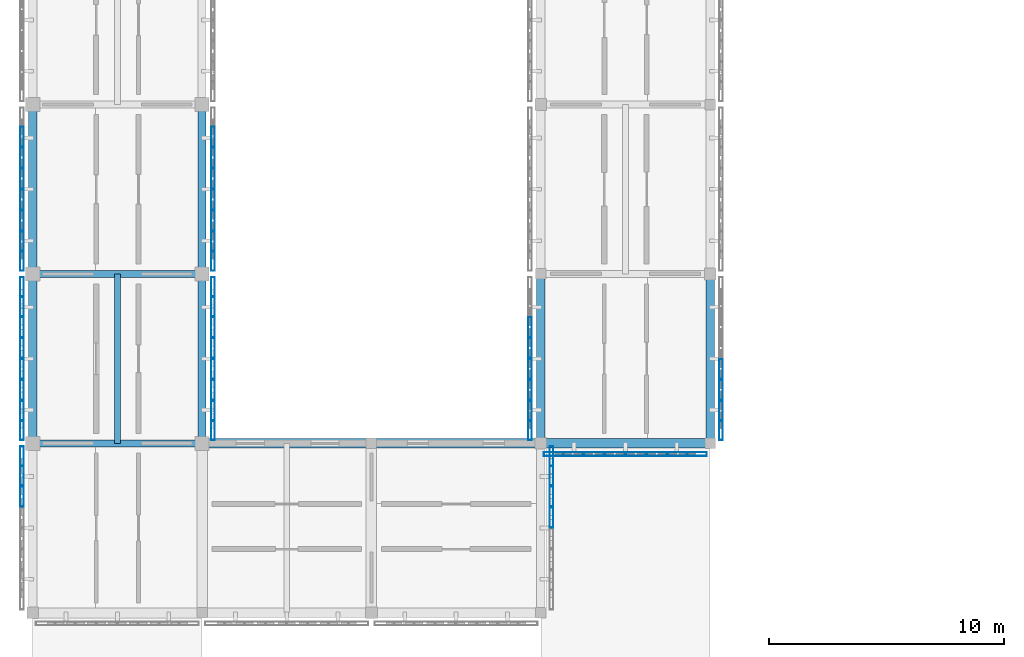
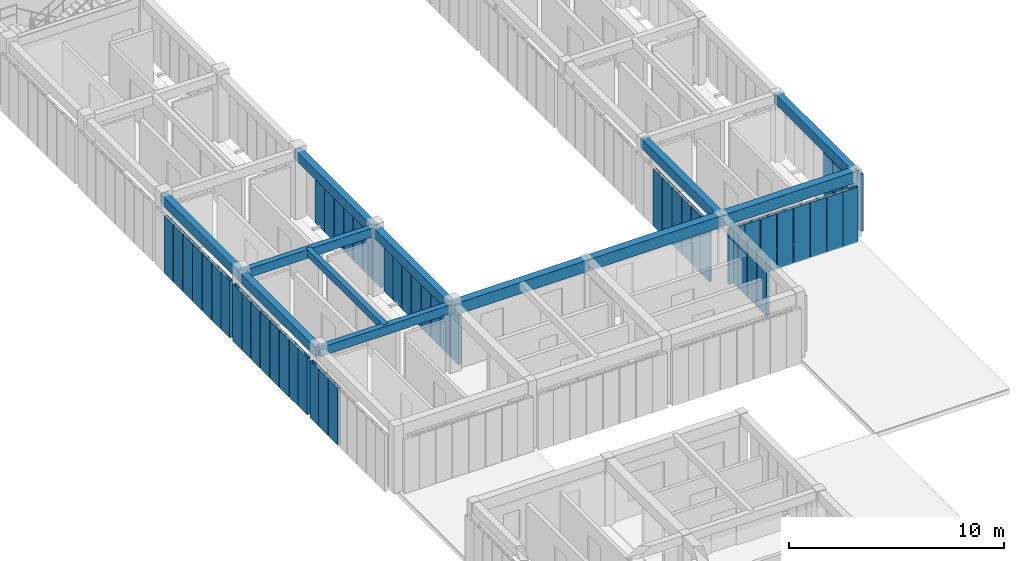
# One storey, part 5 of 67: 55 members, 12 beams, 9 elements without a shape of their own.
"""IFC4 building model written with IfcOpenShell, lengths in metres."""

from ifc_helpers import new_model, si_unit, direction, frame, origin, origin_2d, place, context, subcontext, project, spatial, rectangle, hollow_rectangle, extrude, material, material_profile, profile_set, type_object, element, aggregate, save


model = new_model("IFC4")

# Units and contexts
model_context = context("Model", 3, precision=1e-05, world=origin(), true_north=direction((0.0, 1.0)))
body_context = subcontext(model_context, "Body", "Model", "MODEL_VIEW")
ifc_project = project(units=[si_unit("LENGTHUNIT", "METRE"), si_unit("AREAUNIT", "SQUARE_METRE"), si_unit("VOLUMEUNIT", "CUBIC_METRE"), si_unit("PLANEANGLEUNIT", "RADIAN"), si_unit("MASSUNIT", "GRAM", prefix="KILO")], contexts=[model_context])

# Site, building, storey
site_placement = place(None, origin())
site = spatial("IfcSite", under=ifc_project, at=site_placement, CompositionType="ELEMENT")
building_placement = place(site_placement, origin())
building = spatial("IfcBuilding", under=site, at=building_placement, Name="Aldebral Square Health Centre", CompositionType="ELEMENT")
storey_placement = place(building_placement, frame((0.0, 0.0, 13.5)))
storey = spatial("IfcBuildingStorey", under=building, at=storey_placement, Name="L03", CompositionType="ELEMENT", Elevation=13.5)

# Beams
ifc_material_1 = material(Name="Concrete C40/50", Category="concrete")
ifc_material_profile_1 = material_profile(ifc_material_1, rectangle(XDim=0.39990234375, YDim=0.64990234375, at=origin_2d()), Name="RC 400x650")
ifc_profile_set_1 = profile_set([ifc_material_profile_1], Name="Concrete C40/50")
beam_type_1 = type_object("IfcBeamType", Name="BM-B1", PredefinedType="BEAM", material=ifc_profile_set_1)
beam_1_placement = place(storey_placement, frame((7.199951171875, 64.800048828125, 3.465087890625), z_axis=(1.0, 0.0, 0.0), x_axis=(0.0, 1.0, 0.0)))
element("IfcBeam", 1, at=beam_1_placement, inside=storey, type_object=beam_type_1, Name="L03 X-beam 2-3/G10", PredefinedType="BEAM", context=body_context, shape_type="SweptSolid", body=[
    extrude(rectangle(XDim=0.39990234375, YDim=0.64990234375, at=origin_2d()), origin(), (0.0, 0.0, 1.0), 7.199951171875),
])
beam_2_placement = place(storey_placement, frame((14.39990234375, 64.800048828125, 3.465087890625), z_axis=(1.0, 0.0, 0.0), x_axis=(0.0, 1.0, 0.0)))
element("IfcBeam", 2, at=beam_2_placement, inside=storey, type_object=beam_type_1, Name="L03 X-beam 3-4/G10", PredefinedType="BEAM", context=body_context, shape_type="SweptSolid", body=[
    extrude(rectangle(XDim=0.39990234375, YDim=0.64990234375, at=origin_2d()), origin(), (0.0, 0.0, 1.0), 7.2001953125),
])
beam_3_placement = place(storey_placement, frame((21.60009765625, 64.800048828125, 3.465087890625), z_axis=(1.0, 0.0, 0.0), x_axis=(0.0, 1.0, 0.0)))
element("IfcBeam", 3, at=beam_3_placement, inside=storey, type_object=beam_type_1, Name="L03 X-beam 4-5/G10", PredefinedType="BEAM", context=body_context, shape_type="SweptSolid", body=[
    extrude(rectangle(XDim=0.39990234375, YDim=0.64990234375, at=origin_2d()), origin(), (0.0, 0.0, 1.0), 7.199951171875),
])
ifc_material_profile_2 = material_profile(ifc_material_1, rectangle(XDim=0.35009765625, YDim=0.550048828125, at=origin_2d()), Name="RC 350x550")
ifc_profile_set_2 = profile_set([ifc_material_profile_2], Name="Concrete C40/50")
beam_type_2 = type_object("IfcBeamType", Name="BM-B3", PredefinedType="BEAM", material=ifc_profile_set_2)
for number, where, z_axis, x_axis, name in (
    (4, (0.0, 64.800048828125, 3.514892578125), (0.0, 1.0, 0.0), (-1.0, 0.0, 0.0), "L03 Y-beam G1/10-11"),
    (5, (0.0, 72.0, 3.514892578125), (0.0, 1.0, 0.0), (-1.0, 0.0, 0.0), "L03 Y-beam G1/11-12"),
    (6, (7.199951171875, 64.800048828125, 3.514892578125), (0.0, 1.0, 0.0), (-1.0, 0.0, 0.0), "L03 Y-beam G2/10-11"),
    (7, (7.199951171875, 72.0, 3.514892578125), (0.0, 1.0, 0.0), (-1.0, 0.0, 0.0), "L03 Y-beam G2/11-12"),
    (8, (21.60009765625, 64.800048828125, 3.514892578125), (0.0, 1.0, 0.0), (-1.0, 0.0, 0.0), "L03 Y-beam G4/10-11"),
    (9, (28.800048828125, 64.800048828125, 3.514892578125), (0.0, 1.0, 0.0), (-1.0, 0.0, 0.0), "L03 Y-beam G5/10-11"),
):
    element("IfcBeam", number, at=place(storey_placement, frame(where, z_axis=z_axis, x_axis=x_axis)), inside=storey, type_object=beam_type_2, Name=name, PredefinedType="BEAM", context=body_context, shape_type="SweptSolid", body=[
        extrude(rectangle(XDim=0.35009765625, YDim=0.550048828125, at=origin_2d()), origin(), (0.0, 0.0, 1.0), 7.199951171875),
    ])
ifc_material_profile_3 = material_profile(ifc_material_1, rectangle(XDim=0.300048828125, YDim=0.5, at=origin_2d()), Name="RC 300x500")
ifc_profile_set_3 = profile_set([ifc_material_profile_3], Name="Concrete C40/50")
beam_type_3 = type_object("IfcBeamType", Name="BM-B4", PredefinedType="BEAM", material=ifc_profile_set_3)
for number, where, z_axis, x_axis, name in (
    (10, (0.0, 64.800048828125, 3.5400390625), (1.0, 0.0, 0.0), (0.0, 1.0, 0.0), "L03 X-beam 1-2/G10"),
    (11, (0.0, 72.0, 3.5400390625), (1.0, 0.0, 0.0), (0.0, 1.0, 0.0), "L03 X-beam 1-2/G11"),
):
    element("IfcBeam", number, at=place(storey_placement, frame(where, z_axis=z_axis, x_axis=x_axis)), inside=storey, type_object=beam_type_3, Name=name, PredefinedType="BEAM", context=body_context, shape_type="SweptSolid", body=[
        extrude(rectangle(XDim=0.300048828125, YDim=0.5, at=origin_2d()), origin(), (0.0, 0.0, 1.0), 7.199951171875),
    ])
ifc_material_profile_4 = material_profile(ifc_material_1, rectangle(XDim=0.25, YDim=0.39990234375, at=origin_2d()), Name="RC 250x400")
ifc_profile_set_4 = profile_set([ifc_material_profile_4], Name="Concrete C40/50")
beam_type_4 = type_object("IfcBeamType", Name="BM-B6", PredefinedType="JOIST", material=ifc_profile_set_4)
beam_4_placement = place(storey_placement, frame((3.60009765625, 64.800048828125, 3.590087890625), z_axis=(0.0, 1.0, 0.0), x_axis=(-1.0, 0.0, 0.0)))
element("IfcBeam", 12, at=beam_4_placement, inside=storey, type_object=beam_type_4, Name="L03 secondary rib 1.10", PredefinedType="JOIST", context=body_context, shape_type="SweptSolid", body=[
    extrude(rectangle(XDim=0.25, YDim=0.39990234375, at=origin_2d()), origin(), (0.0, 0.0, 1.0), 7.199951171875),
])

# Curtain wall, members
ifc_material_2 = material(Name="Aluminium and low-E solar glass", Category="aluminium")
curtain_wall_type = type_object("IfcCurtainWallType", Name="CW-FIN-SYS", PredefinedType="USERDEFINED", material=ifc_material_2)
curtain_wall_1_placement = place(storey_placement, origin())
curtain_wall_1 = element("IfcCurtainWall", 13, at=curtain_wall_1_placement, inside=storey, type_object=curtain_wall_type, Name="L03 V4 finned curtain wall L03-V4-00-08-W", ObjectType="SOLAR_CURTAIN_WALL", PredefinedType="USERDEFINED")
ifc_material_3 = material(Name="Sienna-terracotta clad aluminium fin", Category="masonry")
ifc_material_profile_5 = material_profile(ifc_material_3, hollow_rectangle(XDim=0.159912109375, YDim=0.85009765625, WallThickness=0.006103515625, at=origin_2d()), Name="FIN 160x850x6")
ifc_profile_set_5 = profile_set([ifc_material_profile_5], Name="Sienna-terracotta clad aluminium fin")
member_type = type_object("IfcMemberType", Name="CWM-FIN", PredefinedType="MULLION", material=ifc_profile_set_5)
member_1_placement = place(storey_placement, frame((-0.4599609375, 64.239990234375, 0.0), z_axis=(0.0, 0.0, 1.0), x_axis=(1.0, 0.0, 0.0)))
member_1 = element("IfcMember", 14, at=member_1_placement, type_object=member_type, Name="CW1 mullion 1", PredefinedType="MULLION", context=body_context, shape_type="SweptSolid", body=[
    extrude(hollow_rectangle(XDim=0.159912109375, YDim=0.85009765625, WallThickness=0.006103515625, at=origin_2d()), origin(), (0.0, 0.0, 1.0), 3.239990234375),
])
member_2_placement = place(storey_placement, frame((-0.4599609375, 63.428466796875, 0.0), z_axis=(0.0, 0.0, 1.0), x_axis=(1.0, 0.0, 0.0)))
member_2 = element("IfcMember", 15, at=member_2_placement, type_object=member_type, Name="CW1 mullion 2", PredefinedType="MULLION", context=body_context, shape_type="SweptSolid", body=[
    extrude(hollow_rectangle(XDim=0.159912109375, YDim=0.85009765625, WallThickness=0.006103515625, at=origin_2d()), origin(), (0.0, 0.0, 1.0), 3.239990234375),
])
member_3_placement = place(storey_placement, frame((-0.4599609375, 62.537109375, 0.0), z_axis=(0.0, 0.0, 1.0), x_axis=(1.0, 0.0, 0.0)))
member_3 = element("IfcMember", 16, at=member_3_placement, type_object=member_type, Name="CW1 mullion 3", PredefinedType="MULLION", context=body_context, shape_type="SweptSolid", body=[
    extrude(hollow_rectangle(XDim=0.159912109375, YDim=0.85009765625, WallThickness=0.006103515625, at=origin_2d()), origin(), (0.0, 0.0, 1.0), 3.239990234375),
])
aggregate(curtain_wall_1, [member_1, member_2, member_3])

curtain_wall_2_placement = place(storey_placement, origin())
curtain_wall_2 = element("IfcCurtainWall", 17, at=curtain_wall_2_placement, inside=storey, type_object=curtain_wall_type, Name="L03 V4 finned curtain wall L03-V4-00-09-W", ObjectType="SOLAR_CURTAIN_WALL", PredefinedType="USERDEFINED")
member_4_placement = place(storey_placement, frame((-0.4599609375, 71.43994140625, 0.0), z_axis=(0.0, 0.0, 1.0), x_axis=(1.0, 0.0, 0.0)))
member_4 = element("IfcMember", 18, at=member_4_placement, type_object=member_type, Name="CW1 mullion 1", PredefinedType="MULLION", context=body_context, shape_type="SweptSolid", body=[
    extrude(hollow_rectangle(XDim=0.159912109375, YDim=0.85009765625, WallThickness=0.006103515625, at=origin_2d()), origin(), (0.0, 0.0, 1.0), 3.239990234375),
])
member_5_placement = place(storey_placement, frame((-0.4599609375, 70.628662109375, 0.0), z_axis=(0.0, 0.0, 1.0), x_axis=(1.0, 0.0, 0.0)))
member_5 = element("IfcMember", 19, at=member_5_placement, type_object=member_type, Name="CW1 mullion 2", PredefinedType="MULLION", context=body_context, shape_type="SweptSolid", body=[
    extrude(hollow_rectangle(XDim=0.159912109375, YDim=0.85009765625, WallThickness=0.006103515625, at=origin_2d()), origin(), (0.0, 0.0, 1.0), 3.239990234375),
])
member_6_placement = place(storey_placement, frame((-0.4599609375, 69.737060546875, 0.0), z_axis=(0.0, 0.0, 1.0), x_axis=(1.0, 0.0, 0.0)))
member_6 = element("IfcMember", 20, at=member_6_placement, type_object=member_type, Name="CW1 mullion 3", PredefinedType="MULLION", context=body_context, shape_type="SweptSolid", body=[
    extrude(hollow_rectangle(XDim=0.159912109375, YDim=0.85009765625, WallThickness=0.006103515625, at=origin_2d()), origin(), (0.0, 0.0, 1.0), 3.239990234375),
])
member_7_placement = place(storey_placement, frame((-0.4599609375, 68.845703125, 0.0), z_axis=(0.0, 0.0, 1.0), x_axis=(1.0, 0.0, 0.0)))
member_7 = element("IfcMember", 21, at=member_7_placement, type_object=member_type, Name="CW1 mullion 4", PredefinedType="MULLION", context=body_context, shape_type="SweptSolid", body=[
    extrude(hollow_rectangle(XDim=0.159912109375, YDim=0.85009765625, WallThickness=0.006103515625, at=origin_2d()), origin(), (0.0, 0.0, 1.0), 3.239990234375),
])
member_8_placement = place(storey_placement, frame((-0.4599609375, 67.954345703125, 0.0), z_axis=(0.0, 0.0, 1.0), x_axis=(1.0, 0.0, 0.0)))
member_8 = element("IfcMember", 22, at=member_8_placement, type_object=member_type, Name="CW1 mullion 5", PredefinedType="MULLION", context=body_context, shape_type="SweptSolid", body=[
    extrude(hollow_rectangle(XDim=0.159912109375, YDim=0.85009765625, WallThickness=0.006103515625, at=origin_2d()), origin(), (0.0, 0.0, 1.0), 3.239990234375),
])
member_9_placement = place(storey_placement, frame((-0.4599609375, 67.062744140625, 0.0), z_axis=(0.0, 0.0, 1.0), x_axis=(1.0, 0.0, 0.0)))
member_9 = element("IfcMember", 23, at=member_9_placement, type_object=member_type, Name="CW1 mullion 6", PredefinedType="MULLION", context=body_context, shape_type="SweptSolid", body=[
    extrude(hollow_rectangle(XDim=0.159912109375, YDim=0.85009765625, WallThickness=0.006103515625, at=origin_2d()), origin(), (0.0, 0.0, 1.0), 3.239990234375),
])
member_10_placement = place(storey_placement, frame((-0.4599609375, 66.17138671875, 0.0), z_axis=(0.0, 0.0, 1.0), x_axis=(1.0, 0.0, 0.0)))
member_10 = element("IfcMember", 24, at=member_10_placement, type_object=member_type, Name="CW1 mullion 7", PredefinedType="MULLION", context=body_context, shape_type="SweptSolid", body=[
    extrude(hollow_rectangle(XDim=0.159912109375, YDim=0.85009765625, WallThickness=0.006103515625, at=origin_2d()), origin(), (0.0, 0.0, 1.0), 3.239990234375),
])
member_11_placement = place(storey_placement, frame((-0.4599609375, 65.360107421875, 0.0), z_axis=(0.0, 0.0, 1.0), x_axis=(1.0, 0.0, 0.0)))
member_11 = element("IfcMember", 25, at=member_11_placement, type_object=member_type, Name="CW1 mullion 8", PredefinedType="MULLION", context=body_context, shape_type="SweptSolid", body=[
    extrude(hollow_rectangle(XDim=0.159912109375, YDim=0.85009765625, WallThickness=0.006103515625, at=origin_2d()), origin(), (0.0, 0.0, 1.0), 3.239990234375),
])
aggregate(curtain_wall_2, [member_4, member_5, member_6, member_7, member_8, member_9, member_10, member_11])

curtain_wall_3_placement = place(storey_placement, origin())
curtain_wall_3 = element("IfcCurtainWall", 26, at=curtain_wall_3_placement, inside=storey, type_object=curtain_wall_type, Name="L03 V4 finned curtain wall L03-V4-00-09-E", ObjectType="SOLAR_CURTAIN_WALL", PredefinedType="USERDEFINED")
member_12_placement = place(storey_placement, frame((7.659912109375, 65.360107421875, 0.0), z_axis=(0.0, 0.0, 1.0), x_axis=(-1.0, 0.0, 0.0)))
member_12 = element("IfcMember", 27, at=member_12_placement, type_object=member_type, Name="CW1 mullion 1", PredefinedType="MULLION", context=body_context, shape_type="SweptSolid", body=[
    extrude(hollow_rectangle(XDim=0.159912109375, YDim=0.85009765625, WallThickness=0.006103515625, at=origin_2d()), origin(), (0.0, 0.0, 1.0), 3.239990234375),
])
member_13_placement = place(storey_placement, frame((7.659912109375, 66.17138671875, 0.0), z_axis=(0.0, 0.0, 1.0), x_axis=(-1.0, 0.0, 0.0)))
member_13 = element("IfcMember", 28, at=member_13_placement, type_object=member_type, Name="CW1 mullion 2", PredefinedType="MULLION", context=body_context, shape_type="SweptSolid", body=[
    extrude(hollow_rectangle(XDim=0.159912109375, YDim=0.85009765625, WallThickness=0.006103515625, at=origin_2d()), origin(), (0.0, 0.0, 1.0), 3.239990234375),
])
member_14_placement = place(storey_placement, frame((7.659912109375, 67.062744140625, 0.0), z_axis=(0.0, 0.0, 1.0), x_axis=(-1.0, 0.0, 0.0)))
member_14 = element("IfcMember", 29, at=member_14_placement, type_object=member_type, Name="CW1 mullion 3", PredefinedType="MULLION", context=body_context, shape_type="SweptSolid", body=[
    extrude(hollow_rectangle(XDim=0.159912109375, YDim=0.85009765625, WallThickness=0.006103515625, at=origin_2d()), origin(), (0.0, 0.0, 1.0), 3.239990234375),
])
member_15_placement = place(storey_placement, frame((7.659912109375, 67.954345703125, 0.0), z_axis=(0.0, 0.0, 1.0), x_axis=(-1.0, 0.0, 0.0)))
member_15 = element("IfcMember", 30, at=member_15_placement, type_object=member_type, Name="CW1 mullion 4", PredefinedType="MULLION", context=body_context, shape_type="SweptSolid", body=[
    extrude(hollow_rectangle(XDim=0.159912109375, YDim=0.85009765625, WallThickness=0.006103515625, at=origin_2d()), origin(), (0.0, 0.0, 1.0), 3.239990234375),
])
member_16_placement = place(storey_placement, frame((7.659912109375, 68.845703125, 0.0), z_axis=(0.0, 0.0, 1.0), x_axis=(-1.0, 0.0, 0.0)))
member_16 = element("IfcMember", 31, at=member_16_placement, type_object=member_type, Name="CW1 mullion 5", PredefinedType="MULLION", context=body_context, shape_type="SweptSolid", body=[
    extrude(hollow_rectangle(XDim=0.159912109375, YDim=0.85009765625, WallThickness=0.006103515625, at=origin_2d()), origin(), (0.0, 0.0, 1.0), 3.239990234375),
])
member_17_placement = place(storey_placement, frame((7.659912109375, 69.737060546875, 0.0), z_axis=(0.0, 0.0, 1.0), x_axis=(-1.0, 0.0, 0.0)))
member_17 = element("IfcMember", 32, at=member_17_placement, type_object=member_type, Name="CW1 mullion 6", PredefinedType="MULLION", context=body_context, shape_type="SweptSolid", body=[
    extrude(hollow_rectangle(XDim=0.159912109375, YDim=0.85009765625, WallThickness=0.006103515625, at=origin_2d()), origin(), (0.0, 0.0, 1.0), 3.239990234375),
])
member_18_placement = place(storey_placement, frame((7.659912109375, 70.628662109375, 0.0), z_axis=(0.0, 0.0, 1.0), x_axis=(-1.0, 0.0, 0.0)))
member_18 = element("IfcMember", 33, at=member_18_placement, type_object=member_type, Name="CW1 mullion 7", PredefinedType="MULLION", context=body_context, shape_type="SweptSolid", body=[
    extrude(hollow_rectangle(XDim=0.159912109375, YDim=0.85009765625, WallThickness=0.006103515625, at=origin_2d()), origin(), (0.0, 0.0, 1.0), 3.239990234375),
])
member_19_placement = place(storey_placement, frame((7.659912109375, 71.43994140625, 0.0), z_axis=(0.0, 0.0, 1.0), x_axis=(-1.0, 0.0, 0.0)))
member_19 = element("IfcMember", 34, at=member_19_placement, type_object=member_type, Name="CW1 mullion 8", PredefinedType="MULLION", context=body_context, shape_type="SweptSolid", body=[
    extrude(hollow_rectangle(XDim=0.159912109375, YDim=0.85009765625, WallThickness=0.006103515625, at=origin_2d()), origin(), (0.0, 0.0, 1.0), 3.239990234375),
])
aggregate(curtain_wall_3, [member_12, member_13, member_14, member_15, member_16, member_17, member_18, member_19])

curtain_wall_4_placement = place(storey_placement, origin())
curtain_wall_4 = element("IfcCurtainWall", 35, at=curtain_wall_4_placement, inside=storey, type_object=curtain_wall_type, Name="L03 V4 finned curtain wall L03-V4-00-10-W", ObjectType="SOLAR_CURTAIN_WALL", PredefinedType="USERDEFINED")
member_20_placement = place(storey_placement, frame((-0.4599609375, 77.82861328125, 0.0), z_axis=(0.0, 0.0, 1.0), x_axis=(1.0, 0.0, 0.0)))
member_20 = element("IfcMember", 36, at=member_20_placement, type_object=member_type, Name="CW1 mullion 2", PredefinedType="MULLION", context=body_context, shape_type="SweptSolid", body=[
    extrude(hollow_rectangle(XDim=0.159912109375, YDim=0.85009765625, WallThickness=0.006103515625, at=origin_2d()), origin(), (0.0, 0.0, 1.0), 3.239990234375),
])
member_21_placement = place(storey_placement, frame((-0.4599609375, 76.937255859375, 0.0), z_axis=(0.0, 0.0, 1.0), x_axis=(1.0, 0.0, 0.0)))
member_21 = element("IfcMember", 37, at=member_21_placement, type_object=member_type, Name="CW1 mullion 3", PredefinedType="MULLION", context=body_context, shape_type="SweptSolid", body=[
    extrude(hollow_rectangle(XDim=0.159912109375, YDim=0.85009765625, WallThickness=0.006103515625, at=origin_2d()), origin(), (0.0, 0.0, 1.0), 3.239990234375),
])
member_22_placement = place(storey_placement, frame((-0.4599609375, 76.045654296875, 0.0), z_axis=(0.0, 0.0, 1.0), x_axis=(1.0, 0.0, 0.0)))
member_22 = element("IfcMember", 38, at=member_22_placement, type_object=member_type, Name="CW1 mullion 4", PredefinedType="MULLION", context=body_context, shape_type="SweptSolid", body=[
    extrude(hollow_rectangle(XDim=0.159912109375, YDim=0.85009765625, WallThickness=0.006103515625, at=origin_2d()), origin(), (0.0, 0.0, 1.0), 3.239990234375),
])
member_23_placement = place(storey_placement, frame((-0.4599609375, 75.154296875, 0.0), z_axis=(0.0, 0.0, 1.0), x_axis=(1.0, 0.0, 0.0)))
member_23 = element("IfcMember", 39, at=member_23_placement, type_object=member_type, Name="CW1 mullion 5", PredefinedType="MULLION", context=body_context, shape_type="SweptSolid", body=[
    extrude(hollow_rectangle(XDim=0.159912109375, YDim=0.85009765625, WallThickness=0.006103515625, at=origin_2d()), origin(), (0.0, 0.0, 1.0), 3.239990234375),
])
member_24_placement = place(storey_placement, frame((-0.4599609375, 74.262939453125, 0.0), z_axis=(0.0, 0.0, 1.0), x_axis=(1.0, 0.0, 0.0)))
member_24 = element("IfcMember", 40, at=member_24_placement, type_object=member_type, Name="CW1 mullion 6", PredefinedType="MULLION", context=body_context, shape_type="SweptSolid", body=[
    extrude(hollow_rectangle(XDim=0.159912109375, YDim=0.85009765625, WallThickness=0.006103515625, at=origin_2d()), origin(), (0.0, 0.0, 1.0), 3.239990234375),
])
member_25_placement = place(storey_placement, frame((-0.4599609375, 73.371337890625, 0.0), z_axis=(0.0, 0.0, 1.0), x_axis=(1.0, 0.0, 0.0)))
member_25 = element("IfcMember", 41, at=member_25_placement, type_object=member_type, Name="CW1 mullion 7", PredefinedType="MULLION", context=body_context, shape_type="SweptSolid", body=[
    extrude(hollow_rectangle(XDim=0.159912109375, YDim=0.85009765625, WallThickness=0.006103515625, at=origin_2d()), origin(), (0.0, 0.0, 1.0), 3.239990234375),
])
member_26_placement = place(storey_placement, frame((-0.4599609375, 72.56005859375, 0.0), z_axis=(0.0, 0.0, 1.0), x_axis=(1.0, 0.0, 0.0)))
member_26 = element("IfcMember", 42, at=member_26_placement, type_object=member_type, Name="CW1 mullion 8", PredefinedType="MULLION", context=body_context, shape_type="SweptSolid", body=[
    extrude(hollow_rectangle(XDim=0.159912109375, YDim=0.85009765625, WallThickness=0.006103515625, at=origin_2d()), origin(), (0.0, 0.0, 1.0), 3.239990234375),
])
aggregate(curtain_wall_4, [member_20, member_21, member_22, member_23, member_24, member_25, member_26])

curtain_wall_5_placement = place(storey_placement, origin())
curtain_wall_5 = element("IfcCurtainWall", 43, at=curtain_wall_5_placement, inside=storey, type_object=curtain_wall_type, Name="L03 V4 finned curtain wall L03-V4-00-10-E", ObjectType="SOLAR_CURTAIN_WALL", PredefinedType="USERDEFINED")
member_27_placement = place(storey_placement, frame((7.659912109375, 72.56005859375, 0.0), z_axis=(0.0, 0.0, 1.0), x_axis=(-1.0, 0.0, 0.0)))
member_27 = element("IfcMember", 44, at=member_27_placement, type_object=member_type, Name="CW1 mullion 1", PredefinedType="MULLION", context=body_context, shape_type="SweptSolid", body=[
    extrude(hollow_rectangle(XDim=0.159912109375, YDim=0.85009765625, WallThickness=0.006103515625, at=origin_2d()), origin(), (0.0, 0.0, 1.0), 3.239990234375),
])
member_28_placement = place(storey_placement, frame((7.659912109375, 73.371337890625, 0.0), z_axis=(0.0, 0.0, 1.0), x_axis=(-1.0, 0.0, 0.0)))
member_28 = element("IfcMember", 45, at=member_28_placement, type_object=member_type, Name="CW1 mullion 2", PredefinedType="MULLION", context=body_context, shape_type="SweptSolid", body=[
    extrude(hollow_rectangle(XDim=0.159912109375, YDim=0.85009765625, WallThickness=0.006103515625, at=origin_2d()), origin(), (0.0, 0.0, 1.0), 3.239990234375),
])
member_29_placement = place(storey_placement, frame((7.659912109375, 74.262939453125, 0.0), z_axis=(0.0, 0.0, 1.0), x_axis=(-1.0, 0.0, 0.0)))
member_29 = element("IfcMember", 46, at=member_29_placement, type_object=member_type, Name="CW1 mullion 3", PredefinedType="MULLION", context=body_context, shape_type="SweptSolid", body=[
    extrude(hollow_rectangle(XDim=0.159912109375, YDim=0.85009765625, WallThickness=0.006103515625, at=origin_2d()), origin(), (0.0, 0.0, 1.0), 3.239990234375),
])
member_30_placement = place(storey_placement, frame((7.659912109375, 75.154296875, 0.0), z_axis=(0.0, 0.0, 1.0), x_axis=(-1.0, 0.0, 0.0)))
member_30 = element("IfcMember", 47, at=member_30_placement, type_object=member_type, Name="CW1 mullion 4", PredefinedType="MULLION", context=body_context, shape_type="SweptSolid", body=[
    extrude(hollow_rectangle(XDim=0.159912109375, YDim=0.85009765625, WallThickness=0.006103515625, at=origin_2d()), origin(), (0.0, 0.0, 1.0), 3.239990234375),
])
member_31_placement = place(storey_placement, frame((7.659912109375, 76.045654296875, 0.0), z_axis=(0.0, 0.0, 1.0), x_axis=(-1.0, 0.0, 0.0)))
member_31 = element("IfcMember", 48, at=member_31_placement, type_object=member_type, Name="CW1 mullion 5", PredefinedType="MULLION", context=body_context, shape_type="SweptSolid", body=[
    extrude(hollow_rectangle(XDim=0.159912109375, YDim=0.85009765625, WallThickness=0.006103515625, at=origin_2d()), origin(), (0.0, 0.0, 1.0), 3.239990234375),
])
member_32_placement = place(storey_placement, frame((7.659912109375, 76.937255859375, 0.0), z_axis=(0.0, 0.0, 1.0), x_axis=(-1.0, 0.0, 0.0)))
member_32 = element("IfcMember", 49, at=member_32_placement, type_object=member_type, Name="CW1 mullion 6", PredefinedType="MULLION", context=body_context, shape_type="SweptSolid", body=[
    extrude(hollow_rectangle(XDim=0.159912109375, YDim=0.85009765625, WallThickness=0.006103515625, at=origin_2d()), origin(), (0.0, 0.0, 1.0), 3.239990234375),
])
member_33_placement = place(storey_placement, frame((7.659912109375, 77.82861328125, 0.0), z_axis=(0.0, 0.0, 1.0), x_axis=(-1.0, 0.0, 0.0)))
member_33 = element("IfcMember", 50, at=member_33_placement, type_object=member_type, Name="CW1 mullion 7", PredefinedType="MULLION", context=body_context, shape_type="SweptSolid", body=[
    extrude(hollow_rectangle(XDim=0.159912109375, YDim=0.85009765625, WallThickness=0.006103515625, at=origin_2d()), origin(), (0.0, 0.0, 1.0), 3.239990234375),
])
aggregate(curtain_wall_5, [member_27, member_28, member_29, member_30, member_31, member_32, member_33])

curtain_wall_6_placement = place(storey_placement, origin())
curtain_wall_6 = element("IfcCurtainWall", 51, at=curtain_wall_6_placement, inside=storey, type_object=curtain_wall_type, Name="L03 V4 finned curtain wall L03-V4-02-08-E", ObjectType="SOLAR_CURTAIN_WALL", PredefinedType="USERDEFINED")
member_34_placement = place(storey_placement, frame((22.06005859375, 61.645751953125, 0.0), z_axis=(0.0, 0.0, 1.0), x_axis=(-1.0, 0.0, 0.0)))
member_34 = element("IfcMember", 52, at=member_34_placement, type_object=member_type, Name="CW1 mullion 5", PredefinedType="MULLION", context=body_context, shape_type="SweptSolid", body=[
    extrude(hollow_rectangle(XDim=0.159912109375, YDim=0.85009765625, WallThickness=0.006103515625, at=origin_2d()), origin(), (0.0, 0.0, 1.0), 3.239990234375),
])
member_35_placement = place(storey_placement, frame((22.06005859375, 62.537109375, 0.0), z_axis=(0.0, 0.0, 1.0), x_axis=(-1.0, 0.0, 0.0)))
member_35 = element("IfcMember", 53, at=member_35_placement, type_object=member_type, Name="CW1 mullion 6", PredefinedType="MULLION", context=body_context, shape_type="SweptSolid", body=[
    extrude(hollow_rectangle(XDim=0.159912109375, YDim=0.85009765625, WallThickness=0.006103515625, at=origin_2d()), origin(), (0.0, 0.0, 1.0), 3.239990234375),
])
member_36_placement = place(storey_placement, frame((22.06005859375, 63.428466796875, 0.0), z_axis=(0.0, 0.0, 1.0), x_axis=(-1.0, 0.0, 0.0)))
member_36 = element("IfcMember", 54, at=member_36_placement, type_object=member_type, Name="CW1 mullion 7", PredefinedType="MULLION", context=body_context, shape_type="SweptSolid", body=[
    extrude(hollow_rectangle(XDim=0.159912109375, YDim=0.85009765625, WallThickness=0.006103515625, at=origin_2d()), origin(), (0.0, 0.0, 1.0), 3.239990234375),
])
member_37_placement = place(storey_placement, frame((22.06005859375, 64.239990234375, 0.0), z_axis=(0.0, 0.0, 1.0), x_axis=(-1.0, 0.0, 0.0)))
member_37 = element("IfcMember", 55, at=member_37_placement, type_object=member_type, Name="CW1 mullion 8", PredefinedType="MULLION", context=body_context, shape_type="SweptSolid", body=[
    extrude(hollow_rectangle(XDim=0.159912109375, YDim=0.85009765625, WallThickness=0.006103515625, at=origin_2d()), origin(), (0.0, 0.0, 1.0), 3.239990234375),
])
aggregate(curtain_wall_6, [member_34, member_35, member_36, member_37])

curtain_wall_7_placement = place(storey_placement, origin())
curtain_wall_7 = element("IfcCurtainWall", 56, at=curtain_wall_7_placement, inside=storey, type_object=curtain_wall_type, Name="L03 V4 finned curtain wall L03-V4-03-09-S", ObjectType="SOLAR_CURTAIN_WALL", PredefinedType="USERDEFINED")
member_38_placement = place(storey_placement, frame((22.159912109375, 64.340087890625, 0.0), z_axis=(0.0, 0.0, 1.0), x_axis=(0.0, 1.0, 0.0)))
member_38 = element("IfcMember", 57, at=member_38_placement, type_object=member_type, Name="CW1 mullion 1", PredefinedType="MULLION", context=body_context, shape_type="SweptSolid", body=[
    extrude(hollow_rectangle(XDim=0.159912109375, YDim=0.85009765625, WallThickness=0.006103515625, at=origin_2d()), origin(), (0.0, 0.0, 1.0), 3.139892578125),
])
member_39_placement = place(storey_placement, frame((22.971435546875, 64.340087890625, 0.0), z_axis=(0.0, 0.0, 1.0), x_axis=(0.0, 1.0, 0.0)))
member_39 = element("IfcMember", 58, at=member_39_placement, type_object=member_type, Name="CW1 mullion 2", PredefinedType="MULLION", context=body_context, shape_type="SweptSolid", body=[
    extrude(hollow_rectangle(XDim=0.159912109375, YDim=0.85009765625, WallThickness=0.006103515625, at=origin_2d()), origin(), (0.0, 0.0, 1.0), 3.139892578125),
])
member_40_placement = place(storey_placement, frame((23.86279296875, 64.340087890625, 0.0), z_axis=(0.0, 0.0, 1.0), x_axis=(0.0, 1.0, 0.0)))
member_40 = element("IfcMember", 59, at=member_40_placement, type_object=member_type, Name="CW1 mullion 3", PredefinedType="MULLION", context=body_context, shape_type="SweptSolid", body=[
    extrude(hollow_rectangle(XDim=0.159912109375, YDim=0.85009765625, WallThickness=0.006103515625, at=origin_2d()), origin(), (0.0, 0.0, 1.0), 3.139892578125),
])
member_41_placement = place(storey_placement, frame((24.75439453125, 64.340087890625, 0.0), z_axis=(0.0, 0.0, 1.0), x_axis=(0.0, 1.0, 0.0)))
member_41 = element("IfcMember", 60, at=member_41_placement, type_object=member_type, Name="CW1 mullion 4", PredefinedType="MULLION", context=body_context, shape_type="SweptSolid", body=[
    extrude(hollow_rectangle(XDim=0.159912109375, YDim=0.85009765625, WallThickness=0.006103515625, at=origin_2d()), origin(), (0.0, 0.0, 1.0), 3.139892578125),
])
member_42_placement = place(storey_placement, frame((25.645751953125, 64.340087890625, 0.0), z_axis=(0.0, 0.0, 1.0), x_axis=(0.0, 1.0, 0.0)))
member_42 = element("IfcMember", 61, at=member_42_placement, type_object=member_type, Name="CW1 mullion 5", PredefinedType="MULLION", context=body_context, shape_type="SweptSolid", body=[
    extrude(hollow_rectangle(XDim=0.159912109375, YDim=0.85009765625, WallThickness=0.006103515625, at=origin_2d()), origin(), (0.0, 0.0, 1.0), 3.139892578125),
])
member_43_placement = place(storey_placement, frame((26.537109375, 64.340087890625, 0.0), z_axis=(0.0, 0.0, 1.0), x_axis=(0.0, 1.0, 0.0)))
member_43 = element("IfcMember", 62, at=member_43_placement, type_object=member_type, Name="CW1 mullion 6", PredefinedType="MULLION", context=body_context, shape_type="SweptSolid", body=[
    extrude(hollow_rectangle(XDim=0.159912109375, YDim=0.85009765625, WallThickness=0.006103515625, at=origin_2d()), origin(), (0.0, 0.0, 1.0), 3.139892578125),
])
member_44_placement = place(storey_placement, frame((27.428466796875, 64.340087890625, 0.0), z_axis=(0.0, 0.0, 1.0), x_axis=(0.0, 1.0, 0.0)))
member_44 = element("IfcMember", 63, at=member_44_placement, type_object=member_type, Name="CW1 mullion 7", PredefinedType="MULLION", context=body_context, shape_type="SweptSolid", body=[
    extrude(hollow_rectangle(XDim=0.159912109375, YDim=0.85009765625, WallThickness=0.006103515625, at=origin_2d()), origin(), (0.0, 0.0, 1.0), 3.139892578125),
])
member_45_placement = place(storey_placement, frame((28.239990234375, 64.340087890625, 0.0), z_axis=(0.0, 0.0, 1.0), x_axis=(0.0, 1.0, 0.0)))
member_45 = element("IfcMember", 64, at=member_45_placement, type_object=member_type, Name="CW1 mullion 8", PredefinedType="MULLION", context=body_context, shape_type="SweptSolid", body=[
    extrude(hollow_rectangle(XDim=0.159912109375, YDim=0.85009765625, WallThickness=0.006103515625, at=origin_2d()), origin(), (0.0, 0.0, 1.0), 3.139892578125),
])
aggregate(curtain_wall_7, [member_38, member_39, member_40, member_41, member_42, member_43, member_44, member_45])

curtain_wall_8_placement = place(storey_placement, origin())
curtain_wall_8 = element("IfcCurtainWall", 65, at=curtain_wall_8_placement, inside=storey, type_object=curtain_wall_type, Name="L03 V4 finned curtain wall L03-V4-03-09-W", ObjectType="SOLAR_CURTAIN_WALL", PredefinedType="USERDEFINED")
member_46_placement = place(storey_placement, frame((21.139892578125, 69.737060546875, 0.0), z_axis=(0.0, 0.0, 1.0), x_axis=(1.0, 0.0, 0.0)))
member_46 = element("IfcMember", 66, at=member_46_placement, type_object=member_type, Name="CW1 mullion 3", PredefinedType="MULLION", context=body_context, shape_type="SweptSolid", body=[
    extrude(hollow_rectangle(XDim=0.159912109375, YDim=0.85009765625, WallThickness=0.006103515625, at=origin_2d()), origin(), (0.0, 0.0, 1.0), 3.239990234375),
])
member_47_placement = place(storey_placement, frame((21.139892578125, 68.845703125, 0.0), z_axis=(0.0, 0.0, 1.0), x_axis=(1.0, 0.0, 0.0)))
member_47 = element("IfcMember", 67, at=member_47_placement, type_object=member_type, Name="CW1 mullion 4", PredefinedType="MULLION", context=body_context, shape_type="SweptSolid", body=[
    extrude(hollow_rectangle(XDim=0.159912109375, YDim=0.85009765625, WallThickness=0.006103515625, at=origin_2d()), origin(), (0.0, 0.0, 1.0), 3.239990234375),
])
member_48_placement = place(storey_placement, frame((21.139892578125, 67.954345703125, 0.0), z_axis=(0.0, 0.0, 1.0), x_axis=(1.0, 0.0, 0.0)))
member_48 = element("IfcMember", 68, at=member_48_placement, type_object=member_type, Name="CW1 mullion 5", PredefinedType="MULLION", context=body_context, shape_type="SweptSolid", body=[
    extrude(hollow_rectangle(XDim=0.159912109375, YDim=0.85009765625, WallThickness=0.006103515625, at=origin_2d()), origin(), (0.0, 0.0, 1.0), 3.239990234375),
])
member_49_placement = place(storey_placement, frame((21.139892578125, 67.062744140625, 0.0), z_axis=(0.0, 0.0, 1.0), x_axis=(1.0, 0.0, 0.0)))
member_49 = element("IfcMember", 69, at=member_49_placement, type_object=member_type, Name="CW1 mullion 6", PredefinedType="MULLION", context=body_context, shape_type="SweptSolid", body=[
    extrude(hollow_rectangle(XDim=0.159912109375, YDim=0.85009765625, WallThickness=0.006103515625, at=origin_2d()), origin(), (0.0, 0.0, 1.0), 3.239990234375),
])
member_50_placement = place(storey_placement, frame((21.139892578125, 66.17138671875, 0.0), z_axis=(0.0, 0.0, 1.0), x_axis=(1.0, 0.0, 0.0)))
member_50 = element("IfcMember", 70, at=member_50_placement, type_object=member_type, Name="CW1 mullion 7", PredefinedType="MULLION", context=body_context, shape_type="SweptSolid", body=[
    extrude(hollow_rectangle(XDim=0.159912109375, YDim=0.85009765625, WallThickness=0.006103515625, at=origin_2d()), origin(), (0.0, 0.0, 1.0), 3.239990234375),
])
member_51_placement = place(storey_placement, frame((21.139892578125, 65.360107421875, 0.0), z_axis=(0.0, 0.0, 1.0), x_axis=(1.0, 0.0, 0.0)))
member_51 = element("IfcMember", 71, at=member_51_placement, type_object=member_type, Name="CW1 mullion 8", PredefinedType="MULLION", context=body_context, shape_type="SweptSolid", body=[
    extrude(hollow_rectangle(XDim=0.159912109375, YDim=0.85009765625, WallThickness=0.006103515625, at=origin_2d()), origin(), (0.0, 0.0, 1.0), 3.239990234375),
])
aggregate(curtain_wall_8, [member_46, member_47, member_48, member_49, member_50, member_51])

curtain_wall_9_placement = place(storey_placement, origin())
curtain_wall_9 = element("IfcCurtainWall", 72, at=curtain_wall_9_placement, inside=storey, type_object=curtain_wall_type, Name="L03 V4 finned curtain wall L03-V4-03-09-E", ObjectType="SOLAR_CURTAIN_WALL", PredefinedType="USERDEFINED")
member_52_placement = place(storey_placement, frame((29.260009765625, 65.360107421875, 0.0), z_axis=(0.0, 0.0, 1.0), x_axis=(-1.0, 0.0, 0.0)))
member_52 = element("IfcMember", 73, at=member_52_placement, type_object=member_type, Name="CW1 mullion 1", PredefinedType="MULLION", context=body_context, shape_type="SweptSolid", body=[
    extrude(hollow_rectangle(XDim=0.159912109375, YDim=0.85009765625, WallThickness=0.006103515625, at=origin_2d()), origin(), (0.0, 0.0, 1.0), 3.239990234375),
])
member_53_placement = place(storey_placement, frame((29.260009765625, 66.17138671875, 0.0), z_axis=(0.0, 0.0, 1.0), x_axis=(-1.0, 0.0, 0.0)))
member_53 = element("IfcMember", 74, at=member_53_placement, type_object=member_type, Name="CW1 mullion 2", PredefinedType="MULLION", context=body_context, shape_type="SweptSolid", body=[
    extrude(hollow_rectangle(XDim=0.159912109375, YDim=0.85009765625, WallThickness=0.006103515625, at=origin_2d()), origin(), (0.0, 0.0, 1.0), 3.239990234375),
])
member_54_placement = place(storey_placement, frame((29.260009765625, 67.062744140625, 0.0), z_axis=(0.0, 0.0, 1.0), x_axis=(-1.0, 0.0, 0.0)))
member_54 = element("IfcMember", 75, at=member_54_placement, type_object=member_type, Name="CW1 mullion 3", PredefinedType="MULLION", context=body_context, shape_type="SweptSolid", body=[
    extrude(hollow_rectangle(XDim=0.159912109375, YDim=0.85009765625, WallThickness=0.006103515625, at=origin_2d()), origin(), (0.0, 0.0, 1.0), 3.239990234375),
])
member_55_placement = place(storey_placement, frame((29.260009765625, 67.954345703125, 0.0), z_axis=(0.0, 0.0, 1.0), x_axis=(-1.0, 0.0, 0.0)))
member_55 = element("IfcMember", 76, at=member_55_placement, type_object=member_type, Name="CW1 mullion 4", PredefinedType="MULLION", context=body_context, shape_type="SweptSolid", body=[
    extrude(hollow_rectangle(XDim=0.159912109375, YDim=0.85009765625, WallThickness=0.006103515625, at=origin_2d()), origin(), (0.0, 0.0, 1.0), 3.239990234375),
])
aggregate(curtain_wall_9, [member_52, member_53, member_54, member_55])

save(model, "model.ifc")
